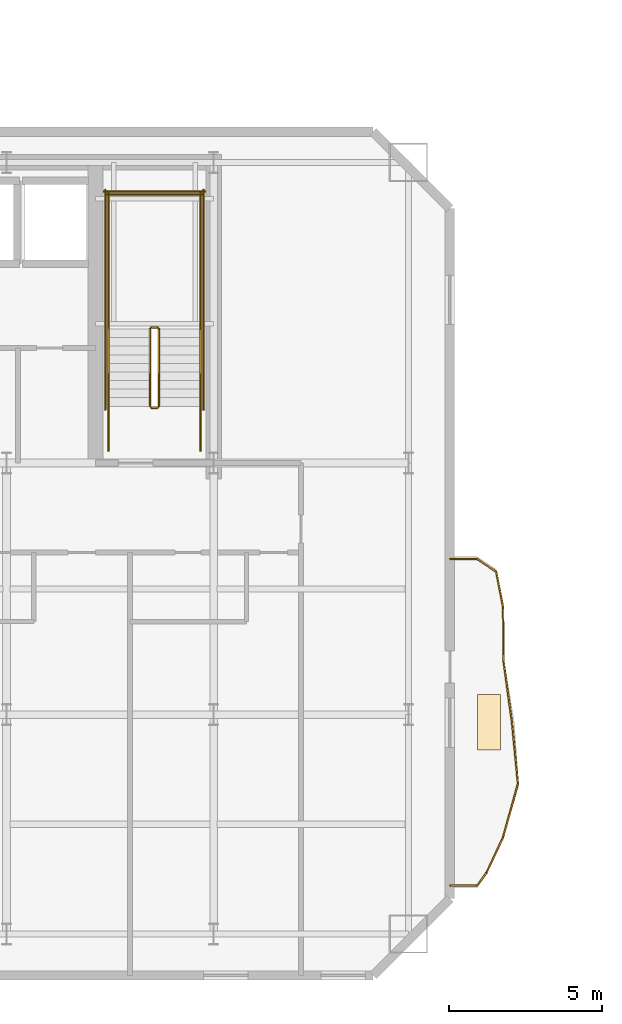
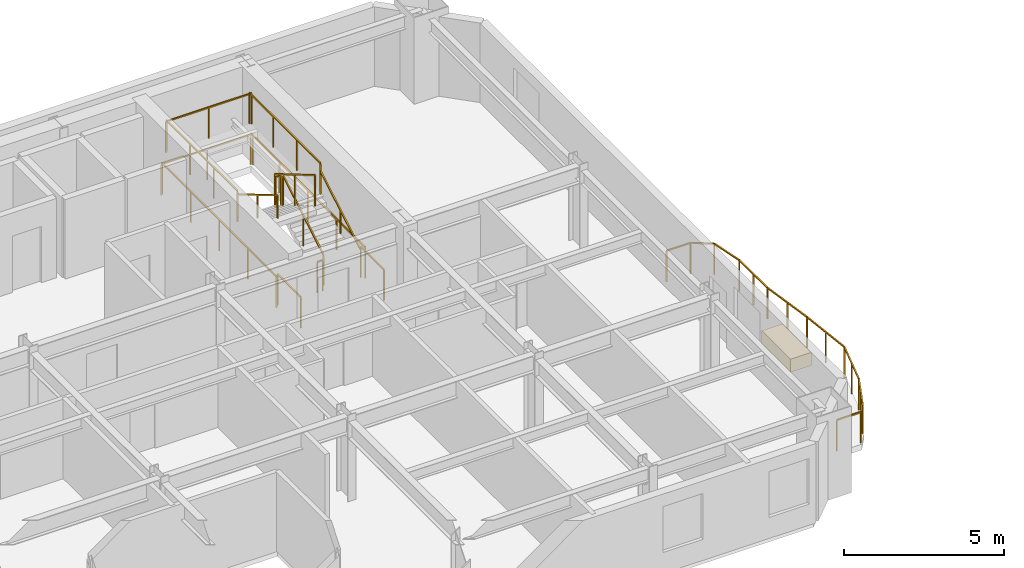
# One storey, part 11 of 13: 24 railings, 1 covering.
"""IFC4 building model written with IfcOpenShell, lengths in metres."""

from ifc_helpers import new_model, si_unit, direction, frame, origin, origin_2d, place, context, subcontext, project, spatial, rectangle, extrude, material, layer, layer_set, type_object, element, save


model = new_model("IFC4")

# Units and contexts
model_context = context("Model", 3, precision=1e-05, world=origin(), true_north=direction((0.0, 1.0)))
body_context = subcontext(model_context, "Body", "Model", "MODEL_VIEW")
ifc_project = project(units=[si_unit("LENGTHUNIT", "METRE"), si_unit("AREAUNIT", "SQUARE_METRE"), si_unit("VOLUMEUNIT", "CUBIC_METRE"), si_unit("PLANEANGLEUNIT", "RADIAN"), si_unit("MASSUNIT", "GRAM", prefix="KILO")], contexts=[model_context])

# Site, building, storey
site_placement = place(None, origin())
site = spatial("IfcSite", under=ifc_project, at=site_placement, CompositionType="ELEMENT")
building_placement = place(site_placement, origin())
building = spatial("IfcBuilding", under=site, at=building_placement, Name="Haevon Station Towers", CompositionType="ELEMENT")
storey_placement = place(building_placement, frame((0.0, 0.0, 149.39990234375)))
storey = spatial("IfcBuildingStorey", under=building, at=storey_placement, Name="L40", CompositionType="ELEMENT", Elevation=149.39990234375)

# Railings
ifc_material_1 = material(Name="Steel S355", Category="steel")
railing_type_1 = type_object("IfcRailingType", Name="GRD-EXT1200", PredefinedType="GUARDRAIL", material=ifc_material_1)
railing_1_placement = place(storey_placement, frame((58.723388671875, 24.427734375, 0.0)))
element("IfcRailing", 1, at=railing_1_placement, inside=storey, type_object=railing_type_1, Name="L40 Perimeter Guardrail 1", PredefinedType="GUARDRAIL", context=body_context, shape_type="SweptSolid", body=[
    extrude(rectangle(XDim=0.048095703125, YDim=0.048095703125, at=origin_2d()), frame((0.0, 0.0, 1.17578125), z_axis=(0.999997476494, 0.002246554286, 0.0), x_axis=(-0.002246554286, 0.999997476494, 0.0)), (0.0, 0.0, 1.0), 0.869384765625),
    extrude(rectangle(XDim=0.0419921875, YDim=0.0419921875, at=origin_2d()), origin(), (0.0, 0.0, 1.0), 1.15185546875),
    extrude(rectangle(XDim=0.0419921875, YDim=0.0419921875, at=origin_2d()), frame((0.869384765625, 0.001953125, 0.0)), (0.0, 0.0, 1.0), 1.15185546875),
])
railing_2_placement = place(storey_placement, frame((59.5927734375, 24.4296875, 0.0)))
element("IfcRailing", 2, at=railing_2_placement, inside=storey, type_object=railing_type_1, Name="L40 Perimeter Guardrail 2", PredefinedType="GUARDRAIL", context=body_context, shape_type="SweptSolid", body=[
    extrude(rectangle(XDim=0.048095703125, YDim=0.048095703125, at=origin_2d()), frame((0.0, 0.0, 1.17578125), z_axis=(0.587714803792, 0.809068173521, 0.0), x_axis=(-0.809068173521, 0.587714803792, 0.0)), (0.0, 0.0, 1.0), 0.508544921875),
    extrude(rectangle(XDim=0.0419921875, YDim=0.0419921875, at=origin_2d()), origin(), (0.0, 0.0, 1.0), 1.15185546875),
    extrude(rectangle(XDim=0.0419921875, YDim=0.0419921875, at=origin_2d()), frame((0.298828125, 0.411376953125, 0.0)), (0.0, 0.0, 1.0), 1.15185546875),
])
railing_3_placement = place(storey_placement, frame((59.8916015625, 24.841064453125, 0.0)))
element("IfcRailing", 3, at=railing_3_placement, inside=storey, type_object=railing_type_1, Name="L40 Perimeter Guardrail 3", PredefinedType="GUARDRAIL", context=body_context, shape_type="SweptSolid", body=[
    extrude(rectangle(XDim=0.048095703125, YDim=0.048095703125, at=origin_2d()), frame((0.0, 0.0, 1.17578125), z_axis=(0.423464938521, 0.90591249348, 0.0), x_axis=(-0.90591249348, 0.423464938521, 0.0)), (0.0, 0.0, 1.0), 1.29150390625),
    extrude(rectangle(XDim=0.0419921875, YDim=0.0419921875, at=origin_2d()), origin(), (0.0, 0.0, 1.0), 1.15185546875),
    extrude(rectangle(XDim=0.0419921875, YDim=0.0419921875, at=origin_2d()), frame((0.2734375, 0.5849609375, 0.0)), (0.0, 0.0, 1.0), 1.15185546875),
    extrude(rectangle(XDim=0.0419921875, YDim=0.0419921875, at=origin_2d()), frame((0.546875, 1.169921875, 0.0)), (0.0, 0.0, 1.0), 1.15185546875),
])
railing_4_placement = place(storey_placement, frame((60.4384765625, 26.010986328125, 0.0)))
element("IfcRailing", 4, at=railing_4_placement, inside=storey, type_object=railing_type_1, Name="L40 Perimeter Guardrail 4", PredefinedType="GUARDRAIL", context=body_context, shape_type="SweptSolid", body=[
    extrude(rectangle(XDim=0.048095703125, YDim=0.048095703125, at=origin_2d()), frame((0.0, 0.0, 1.17578125), z_axis=(0.266482101259, 0.963839867254, 0.0), x_axis=(-0.963839867254, 0.266482101259, 0.0)), (0.0, 0.0, 1.0), 1.810302734375),
    extrude(rectangle(XDim=0.0419921875, YDim=0.0419921875, at=origin_2d()), origin(), (0.0, 0.0, 1.0), 1.15185546875),
    extrude(rectangle(XDim=0.0419921875, YDim=0.0419921875, at=origin_2d()), frame((0.2412109375, 0.87255859375, 0.0)), (0.0, 0.0, 1.0), 1.15185546875),
    extrude(rectangle(XDim=0.0419921875, YDim=0.0419921875, at=origin_2d()), frame((0.482421875, 1.744873046875, 0.0)), (0.0, 0.0, 1.0), 1.15185546875),
])
railing_5_placement = place(storey_placement, frame((60.9208984375, 27.755859375, 0.0)))
element("IfcRailing", 5, at=railing_5_placement, inside=storey, type_object=railing_type_1, Name="L40 Perimeter Guardrail 5", PredefinedType="GUARDRAIL", context=body_context, shape_type="SweptSolid", body=[
    extrude(rectangle(XDim=0.048095703125, YDim=0.048095703125, at=origin_2d()), frame((0.0, 0.0, 1.17578125), z_axis=(-0.097718135752, 0.9952141307, 0.0), x_axis=(-0.9952141307, -0.097718135752, 0.0)), (0.0, 0.0, 1.0), 2.003662109375),
    extrude(rectangle(XDim=0.0419921875, YDim=0.0419921875, at=origin_2d()), origin(), (0.0, 0.0, 1.0), 1.15185546875),
    extrude(rectangle(XDim=0.0419921875, YDim=0.0419921875, at=origin_2d()), frame((-0.097900390625, 0.9970703125, 0.0)), (0.0, 0.0, 1.0), 1.15185546875),
    extrude(rectangle(XDim=0.0419921875, YDim=0.0419921875, at=origin_2d()), frame((-0.19580078125, 1.994140625, 0.0)), (0.0, 0.0, 1.0), 1.15185546875),
])
railing_6_placement = place(storey_placement, frame((60.72509765625, 29.75, 0.0)))
element("IfcRailing", 6, at=railing_6_placement, inside=storey, type_object=railing_type_1, Name="L40 Perimeter Guardrail 6", PredefinedType="GUARDRAIL", context=body_context, shape_type="SweptSolid", body=[
    extrude(rectangle(XDim=0.048095703125, YDim=0.048095703125, at=origin_2d()), frame((0.0, 0.0, 1.17578125), z_axis=(-0.136345171369, 0.990661392326, 0.0), x_axis=(-0.990661392326, -0.136345171369, 0.0)), (0.0, 0.0, 1.0), 2.00732421875),
    extrude(rectangle(XDim=0.0419921875, YDim=0.0419921875, at=origin_2d()), origin(), (0.0, 0.0, 1.0), 1.15185546875),
    extrude(rectangle(XDim=0.0419921875, YDim=0.0419921875, at=origin_2d()), frame((-0.13671875, 0.994140625, 0.0)), (0.0, 0.0, 1.0), 1.15185546875),
    extrude(rectangle(XDim=0.0419921875, YDim=0.0419921875, at=origin_2d()), frame((-0.273681640625, 1.988525390625, 0.0)), (0.0, 0.0, 1.0), 1.15185546875),
])
railing_7_placement = place(storey_placement, frame((60.451416015625, 31.738525390625, 0.0)))
element("IfcRailing", 7, at=railing_7_placement, inside=storey, type_object=railing_type_1, Name="L40 Perimeter Guardrail 7", PredefinedType="GUARDRAIL", context=body_context, shape_type="SweptSolid", body=[
    extrude(rectangle(XDim=0.048095703125, YDim=0.048095703125, at=origin_2d()), frame((0.0, 0.0, 1.17578125), z_axis=(-0.007391708799, 0.999972680947, 0.0), x_axis=(-0.999972680947, -0.007391708799, 0.0)), (0.0, 0.0, 1.0), 1.75048828125),
    extrude(rectangle(XDim=0.0419921875, YDim=0.0419921875, at=origin_2d()), origin(), (0.0, 0.0, 1.0), 1.15185546875),
    extrude(rectangle(XDim=0.0419921875, YDim=0.0419921875, at=origin_2d()), frame((-0.00634765625, 0.875244140625, 0.0)), (0.0, 0.0, 1.0), 1.15185546875),
    extrude(rectangle(XDim=0.0419921875, YDim=0.0419921875, at=origin_2d()), frame((-0.012939453125, 1.75048828125, 0.0)), (0.0, 0.0, 1.0), 1.15185546875),
])
railing_8_placement = place(storey_placement, frame((60.4384765625, 33.489013671875, 0.0)))
element("IfcRailing", 8, at=railing_8_placement, inside=storey, type_object=railing_type_1, Name="L40 Perimeter Guardrail 8", PredefinedType="GUARDRAIL", context=body_context, shape_type="SweptSolid", body=[
    extrude(rectangle(XDim=0.048095703125, YDim=0.048095703125, at=origin_2d()), frame((0.0, 0.0, 1.17578125), z_axis=(-0.189926348496, 0.981798340876, 0.0), x_axis=(-0.981798340876, -0.189926348496, 0.0)), (0.0, 0.0, 1.0), 1.191650390625),
    extrude(rectangle(XDim=0.0419921875, YDim=0.0419921875, at=origin_2d()), origin(), (0.0, 0.0, 1.0), 1.15185546875),
    extrude(rectangle(XDim=0.0419921875, YDim=0.0419921875, at=origin_2d()), frame((-0.226318359375, 1.169921875, 0.0)), (0.0, 0.0, 1.0), 1.15185546875),
])
railing_9_placement = place(storey_placement, frame((60.212158203125, 34.658935546875, 0.0)))
element("IfcRailing", 9, at=railing_9_placement, inside=storey, type_object=railing_type_1, Name="L40 Perimeter Guardrail 9", PredefinedType="GUARDRAIL", context=body_context, shape_type="SweptSolid", body=[
    extrude(rectangle(XDim=0.048095703125, YDim=0.048095703125, at=origin_2d()), frame((0.0, 0.0, 1.17578125), z_axis=(-0.833008823722, 0.553259703576, 0.0), x_axis=(-0.553259703576, -0.833008823722, 0.0)), (0.0, 0.0, 1.0), 0.74365234375),
    extrude(rectangle(XDim=0.0419921875, YDim=0.0419921875, at=origin_2d()), origin(), (0.0, 0.0, 1.0), 1.15185546875),
    extrude(rectangle(XDim=0.0419921875, YDim=0.0419921875, at=origin_2d()), frame((-0.619384765625, 0.411376953125, 0.0)), (0.0, 0.0, 1.0), 1.15185546875),
])
railing_10_placement = place(storey_placement, frame((59.5927734375, 35.0703125, 0.0)))
element("IfcRailing", 10, at=railing_10_placement, inside=storey, type_object=railing_type_1, Name="L40 Perimeter Guardrail 10", PredefinedType="GUARDRAIL", context=body_context, shape_type="SweptSolid", body=[
    extrude(rectangle(XDim=0.048095703125, YDim=0.048095703125, at=origin_2d()), frame((0.0, 0.0, 1.17578125), z_axis=(-0.999997476494, 0.002246554286, 0.0), x_axis=(-0.002246554286, -0.999997476494, 0.0)), (0.0, 0.0, 1.0), 0.869384765625),
    extrude(rectangle(XDim=0.0419921875, YDim=0.0419921875, at=origin_2d()), origin(), (0.0, 0.0, 1.0), 1.15185546875),
    extrude(rectangle(XDim=0.0419921875, YDim=0.0419921875, at=origin_2d()), frame((-0.869384765625, 0.001953125, 0.0)), (0.0, 0.0, 1.0), 1.15185546875),
])
railing_type_2 = type_object("IfcRailingType", Name="GRD-STR1200", PredefinedType="GUARDRAIL", material=ifc_material_1)
railing_11_placement = place(storey_placement, frame((49.219970703125, 40.050048828125, 0.1650390625)))
element("IfcRailing", 11, at=railing_11_placement, inside=storey, type_object=railing_type_2, Name="L40 ST2 Stair Guard 1", PredefinedType="GUARDRAIL", context=body_context, shape_type="SweptSolid", body=[
    extrude(rectangle(XDim=0.048095703125, YDim=0.048095703125, at=origin_2d()), frame((0.0, 0.0, 1.17578125), z_axis=(0.0, 0.86152411907, 0.507716645641), x_axis=(-1.0, 0.0, 0.0)), (0.0, 0.0, 1.0), 2.925048828125),
    extrude(rectangle(XDim=0.0419921875, YDim=0.0419921875, at=origin_2d()), origin(), (0.0, 0.0, 1.0), 1.15185546875),
    extrude(rectangle(XDim=0.0419921875, YDim=0.0419921875, at=origin_2d()), frame((0.0, 1.260009765625, 0.74267578125)), (0.0, 0.0, 1.0), 1.15185546875),
    extrude(rectangle(XDim=0.0419921875, YDim=0.0419921875, at=origin_2d()), frame((0.0, 2.52001953125, 1.485107421875)), (0.0, 0.0, 1.0), 1.15185546875),
])
railing_12_placement = place(storey_placement, frame((49.169921875, 42.6201171875, 1.650146484375)))
element("IfcRailing", 12, at=railing_12_placement, inside=storey, type_object=railing_type_2, Name="L40 ST2 Stair Guard 2", PredefinedType="GUARDRAIL", context=body_context, shape_type="SweptSolid", body=[
    extrude(rectangle(XDim=0.048095703125, YDim=0.048095703125, at=origin_2d()), frame((0.0, 0.0, 1.17578125), z_axis=(-1.0, 0.0, 0.0), x_axis=(0.0, -1.0, 0.0)), (0.0, 0.0, 1.0), 0.199951171875),
    extrude(rectangle(XDim=0.0419921875, YDim=0.0419921875, at=origin_2d()), origin(), (0.0, 0.0, 1.0), 1.15185546875),
    extrude(rectangle(XDim=0.0419921875, YDim=0.0419921875, at=origin_2d()), frame((-0.199951171875, 0.0, 0.0)), (0.0, 0.0, 1.0), 1.15185546875),
])
for number, where, name in (
    (13, (50.570068359375, 42.570068359375, 1.650146484375), "L40 ST2 Stair Guard 3"),
    (14, (47.570068359375, 42.570068359375, 1.650146484375), "L40 ST2 Stair Guard 4"),
):
    element("IfcRailing", number, at=place(storey_placement, frame(where)), inside=storey, type_object=railing_type_2, Name=name, PredefinedType="GUARDRAIL", context=body_context, shape_type="SweptSolid", body=[
        extrude(rectangle(XDim=0.048095703125, YDim=0.048095703125, at=origin_2d()), frame((0.0, 0.0, 1.17578125), z_axis=(0.0, 1.0, 0.0), x_axis=(-1.0, 0.0, 0.0)), (0.0, 0.0, 1.0), 4.429931640625),
        extrude(rectangle(XDim=0.0419921875, YDim=0.0419921875, at=origin_2d()), origin(), (0.0, 0.0, 1.0), 1.15185546875),
        extrude(rectangle(XDim=0.0419921875, YDim=0.0419921875, at=origin_2d()), frame((0.0, 1.4765625, 0.0)), (0.0, 0.0, 1.0), 1.15185546875),
        extrude(rectangle(XDim=0.0419921875, YDim=0.0419921875, at=origin_2d()), frame((0.0, 2.953369140625, 0.0)), (0.0, 0.0, 1.0), 1.15185546875),
        extrude(rectangle(XDim=0.0419921875, YDim=0.0419921875, at=origin_2d()), frame((0.0, 4.429931640625, 0.0)), (0.0, 0.0, 1.0), 1.15185546875),
    ])
railing_13_placement = place(storey_placement, frame((50.6201171875, 46.949951171875, 1.650146484375)))
element("IfcRailing", 15, at=railing_13_placement, inside=storey, type_object=railing_type_2, Name="L40 ST2 Stair Guard 5", PredefinedType="GUARDRAIL", context=body_context, shape_type="SweptSolid", body=[
    extrude(rectangle(XDim=0.048095703125, YDim=0.048095703125, at=origin_2d()), frame((0.0, 0.0, 1.17578125), z_axis=(-1.0, 0.0, 0.0), x_axis=(0.0, -1.0, 0.0)), (0.0, 0.0, 1.0), 3.10009765625),
    extrude(rectangle(XDim=0.0419921875, YDim=0.0419921875, at=origin_2d()), origin(), (0.0, 0.0, 1.0), 1.15185546875),
    extrude(rectangle(XDim=0.0419921875, YDim=0.0419921875, at=origin_2d()), frame((-1.550048828125, 0.0, 0.0)), (0.0, 0.0, 1.0), 1.15185546875),
    extrude(rectangle(XDim=0.0419921875, YDim=0.0419921875, at=origin_2d()), frame((-3.10009765625, 0.0, 0.0)), (0.0, 0.0, 1.0), 1.15185546875),
])
railing_14_placement = place(storey_placement, frame((48.919921875, 42.570068359375, 1.815185546875)))
element("IfcRailing", 16, at=railing_14_placement, inside=storey, type_object=railing_type_2, Name="L40 ST2 Stair Guard 6", PredefinedType="GUARDRAIL", context=body_context, shape_type="SweptSolid", body=[
    extrude(rectangle(XDim=0.048095703125, YDim=0.048095703125, at=origin_2d()), frame((0.0, 0.0, 1.17578125), z_axis=(0.0, -0.861560626758, 0.507654692109), x_axis=(1.0, 0.0, 0.0)), (0.0, 0.0, 1.0), 2.925048828125),
    extrude(rectangle(XDim=0.0419921875, YDim=0.0419921875, at=origin_2d()), origin(), (0.0, 0.0, 1.0), 1.15185546875),
    extrude(rectangle(XDim=0.0419921875, YDim=0.0419921875, at=origin_2d()), frame((0.0, -1.260009765625, 0.742431640625)), (0.0, 0.0, 1.0), 1.15185546875),
    extrude(rectangle(XDim=0.0419921875, YDim=0.0419921875, at=origin_2d()), frame((0.0, -2.52001953125, 1.48486328125)), (0.0, 0.0, 1.0), 1.15185546875),
])
railing_15_placement = place(storey_placement, frame((49.169921875, 40.0, 0.0)))
element("IfcRailing", 17, at=railing_15_placement, inside=storey, type_object=railing_type_2, Name="L40 ST2 Stair Guard 7", PredefinedType="GUARDRAIL", context=body_context, shape_type="SweptSolid", body=[
    extrude(rectangle(XDim=0.048095703125, YDim=0.048095703125, at=origin_2d()), frame((0.0, 0.0, 1.17578125), z_axis=(-1.0, 0.0, 0.0), x_axis=(0.0, -1.0, 0.0)), (0.0, 0.0, 1.0), 0.199951171875),
    extrude(rectangle(XDim=0.0419921875, YDim=0.0419921875, at=origin_2d()), origin(), (0.0, 0.0, 1.0), 1.15185546875),
    extrude(rectangle(XDim=0.0419921875, YDim=0.0419921875, at=origin_2d()), frame((-0.199951171875, 0.0, 0.0)), (0.0, 0.0, 1.0), 1.15185546875),
])
for number, where, name in (
    (18, (50.570068359375, 38.60009765625, 0.0), "L40 ST2 Stair Guard 8"),
    (19, (47.570068359375, 38.60009765625, 0.0), "L40 ST2 Stair Guard 9"),
):
    element("IfcRailing", number, at=place(storey_placement, frame(where)), inside=storey, type_object=railing_type_2, Name=name, PredefinedType="GUARDRAIL", context=body_context, shape_type="SweptSolid", body=[
        extrude(rectangle(XDim=0.048095703125, YDim=0.048095703125, at=origin_2d()), frame((0.0, 0.0, 1.17578125), z_axis=(0.0, 1.0, 0.0), x_axis=(-1.0, 0.0, 0.0)), (0.0, 0.0, 1.0), 1.449951171875),
        extrude(rectangle(XDim=0.0419921875, YDim=0.0419921875, at=origin_2d()), origin(), (0.0, 0.0, 1.0), 1.15185546875),
        extrude(rectangle(XDim=0.0419921875, YDim=0.0419921875, at=origin_2d()), frame((0.0, 1.449951171875, 0.0)), (0.0, 0.0, 1.0), 1.15185546875),
    ])
for number, where, name in (
    (20, (50.669921875, 39.949951171875, 0.0), "L40 ST2 Stair Guard 10"),
    (21, (47.469970703125, 39.949951171875, 0.0), "L40 ST2 Stair Guard 11"),
):
    element("IfcRailing", number, at=place(storey_placement, frame(where)), inside=storey, type_object=railing_type_2, Name=name, PredefinedType="GUARDRAIL", context=body_context, shape_type="SweptSolid", body=[
        extrude(rectangle(XDim=0.048095703125, YDim=0.048095703125, at=origin_2d()), frame((0.0, 0.0, 1.17578125), z_axis=(0.0, 1.0, 0.0), x_axis=(-1.0, 0.0, 0.0)), (0.0, 0.0, 1.0), 7.150146484375),
        extrude(rectangle(XDim=0.0419921875, YDim=0.0419921875, at=origin_2d()), origin(), (0.0, 0.0, 1.0), 1.15185546875),
        extrude(rectangle(XDim=0.0419921875, YDim=0.0419921875, at=origin_2d()), frame((0.0, 1.78759765625, 0.0)), (0.0, 0.0, 1.0), 1.15185546875),
        extrude(rectangle(XDim=0.0419921875, YDim=0.0419921875, at=origin_2d()), frame((0.0, 3.5751953125, 0.0)), (0.0, 0.0, 1.0), 1.15185546875),
        extrude(rectangle(XDim=0.0419921875, YDim=0.0419921875, at=origin_2d()), frame((0.0, 5.362548828125, 0.0)), (0.0, 0.0, 1.0), 1.15185546875),
        extrude(rectangle(XDim=0.0419921875, YDim=0.0419921875, at=origin_2d()), frame((0.0, 7.150146484375, 0.0)), (0.0, 0.0, 1.0), 1.15185546875),
    ])
railing_16_placement = place(storey_placement, frame((50.719970703125, 47.050048828125, 0.0)))
element("IfcRailing", 22, at=railing_16_placement, inside=storey, type_object=railing_type_2, Name="L40 ST2 Stair Guard 12", PredefinedType="GUARDRAIL", context=body_context, shape_type="SweptSolid", body=[
    extrude(rectangle(XDim=0.048095703125, YDim=0.048095703125, at=origin_2d()), frame((0.0, 0.0, 1.17578125), z_axis=(-1.0, 0.0, 0.0), x_axis=(0.0, -1.0, 0.0)), (0.0, 0.0, 1.0), 3.300048828125),
    extrude(rectangle(XDim=0.0419921875, YDim=0.0419921875, at=origin_2d()), origin(), (0.0, 0.0, 1.0), 1.15185546875),
    extrude(rectangle(XDim=0.0419921875, YDim=0.0419921875, at=origin_2d()), frame((-1.64990234375, 0.0, 0.0)), (0.0, 0.0, 1.0), 1.15185546875),
    extrude(rectangle(XDim=0.0419921875, YDim=0.0419921875, at=origin_2d()), frame((-3.300048828125, 0.0, 0.0)), (0.0, 0.0, 1.0), 1.15185546875),
])
railing_type_3 = type_object("IfcRailingType", Name="HND-STR900", PredefinedType="HANDRAIL", material=ifc_material_1)
railing_17_placement = place(storey_placement, frame((50.570068359375, 40.050048828125, 0.1650390625)))
element("IfcRailing", 23, at=railing_17_placement, inside=storey, type_object=railing_type_3, Name="L40 ST2 Stair Handrail 1", PredefinedType="HANDRAIL", context=body_context, shape_type="SweptSolid", body=[
    extrude(rectangle(XDim=0.048095703125, YDim=0.048095703125, at=origin_2d()), frame((0.0, 0.0, 0.8759765625), z_axis=(0.0, 0.86152411907, 0.507716645641), x_axis=(-1.0, 0.0, 0.0)), (0.0, 0.0, 1.0), 2.925048828125),
    extrude(rectangle(XDim=0.0419921875, YDim=0.0419921875, at=origin_2d()), origin(), (0.0, 0.0, 1.0), 0.851806640625),
    extrude(rectangle(XDim=0.0419921875, YDim=0.0419921875, at=origin_2d()), frame((0.0, 1.260009765625, 0.74267578125)), (0.0, 0.0, 1.0), 0.851806640625),
    extrude(rectangle(XDim=0.0419921875, YDim=0.0419921875, at=origin_2d()), frame((0.0, 2.52001953125, 1.485107421875)), (0.0, 0.0, 1.0), 0.851806640625),
])
railing_18_placement = place(storey_placement, frame((47.570068359375, 42.570068359375, 1.815185546875)))
element("IfcRailing", 24, at=railing_18_placement, inside=storey, type_object=railing_type_3, Name="L40 ST2 Stair Handrail 2", PredefinedType="HANDRAIL", context=body_context, shape_type="SweptSolid", body=[
    extrude(rectangle(XDim=0.048095703125, YDim=0.048095703125, at=origin_2d()), frame((0.0, 0.0, 0.8759765625), z_axis=(0.0, -0.861560626758, 0.507654692109), x_axis=(1.0, 0.0, 0.0)), (0.0, 0.0, 1.0), 2.925048828125),
    extrude(rectangle(XDim=0.0419921875, YDim=0.0419921875, at=origin_2d()), origin(), (0.0, 0.0, 1.0), 0.851806640625),
    extrude(rectangle(XDim=0.0419921875, YDim=0.0419921875, at=origin_2d()), frame((0.0, -1.260009765625, 0.742431640625)), (0.0, 0.0, 1.0), 0.851806640625),
    extrude(rectangle(XDim=0.0419921875, YDim=0.0419921875, at=origin_2d()), frame((0.0, -2.52001953125, 1.48486328125)), (0.0, 0.0, 1.0), 0.851806640625),
])

# Covering
ifc_material_2 = material(Name="Architectural planter GRC", Category="concrete")
ifc_layer = layer(ifc_material_2, 0.550048828125)
ifc_layer_set = layer_set([ifc_layer], Name="Architectural planter GRC")
covering_type = type_object("IfcCoveringType", Name="PLN-GRC550", PredefinedType="MOLDING", material=ifc_layer_set)
covering_placement = place(storey_placement, frame((59.9833984375, 29.75, 0.0), z_axis=(0.0, 0.0, 1.0), x_axis=(1.0, 0.0, 0.0)))
element("IfcCovering", 25, at=covering_placement, inside=storey, type_object=covering_type, Name="Tower 1 L40 Scalloped Balcony PLANTER", PredefinedType="MOLDING", context=body_context, shape_type="SweptSolid", body=[
    extrude(rectangle(XDim=0.75, YDim=1.800048828125, at=origin_2d()), origin(), (0.0, 0.0, 1.0), 0.5),
])

save(model, "model.ifc")
